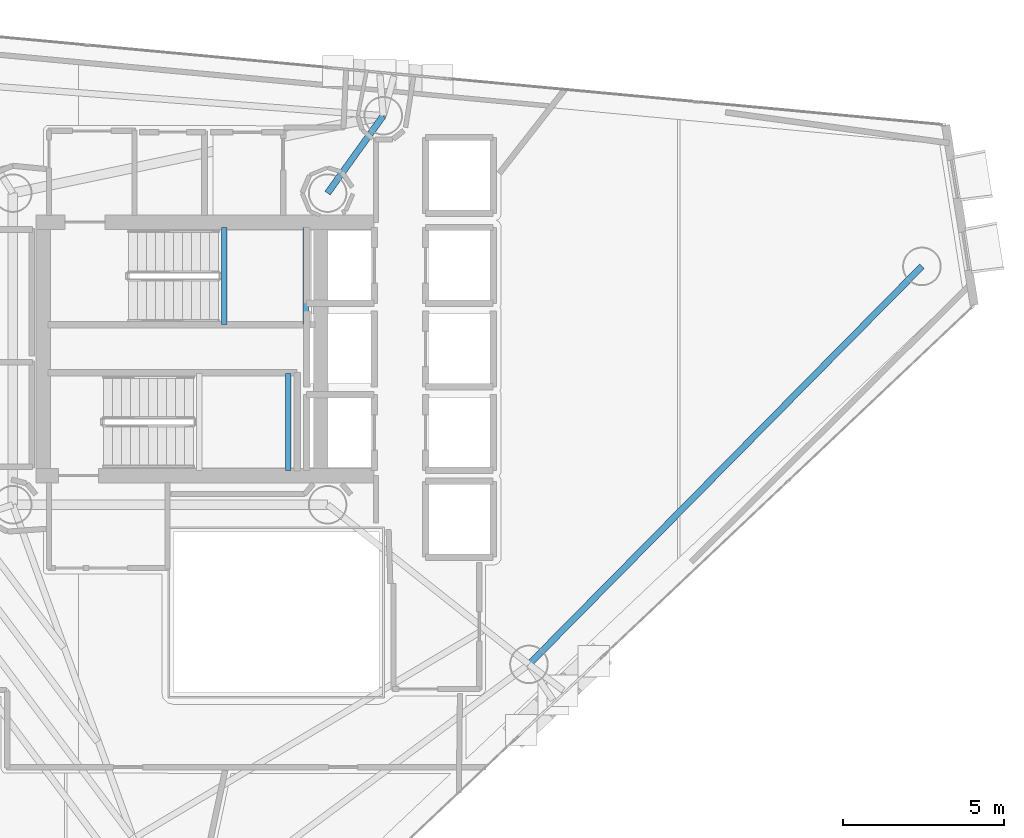
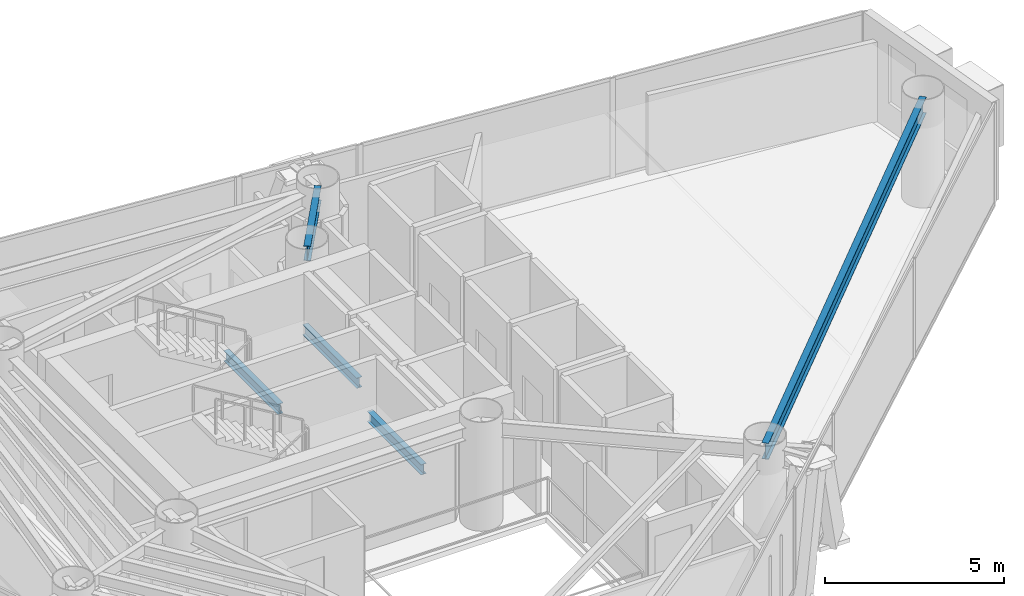
# One storey, part 12 of 20: 5 beams.
"""IFC4 building model written with IfcOpenShell, lengths in metres."""

from ifc_helpers import new_model, si_unit, direction, frame, origin, origin_2d, place, context, subcontext, project, spatial, i_section, extrude, material, material_profile, profile_set, type_object, element, save


model = new_model("IFC4")

# Units and contexts
model_context = context("Model", 3, precision=1e-05, world=origin(), true_north=direction((0.0, 1.0)))
body_context = subcontext(model_context, "Body", "Model", "MODEL_VIEW")
ifc_project = project(units=[si_unit("LENGTHUNIT", "METRE"), si_unit("AREAUNIT", "SQUARE_METRE"), si_unit("VOLUMEUNIT", "CUBIC_METRE"), si_unit("PLANEANGLEUNIT", "RADIAN"), si_unit("MASSUNIT", "GRAM", prefix="KILO")], contexts=[model_context])

# Site, building, storey
site_placement = place(None, origin())
site = spatial("IfcSite", under=ifc_project, at=site_placement, CompositionType="ELEMENT")
building_placement = place(site_placement, origin())
building = spatial("IfcBuilding", under=site, at=building_placement, Name="Qianvela Tower", CompositionType="ELEMENT")
storey_placement = place(building_placement, frame((0.0, 0.0, 226.199951171875)))
storey = spatial("IfcBuildingStorey", under=building, at=storey_placement, Name="L58", CompositionType="ELEMENT", Elevation=226.199951171875)

# Beams
ifc_material_1 = material(Name="Steel Q355B", Category="steel")
ifc_material_profile_1 = material_profile(ifc_material_1, i_section(OverallWidth=0.175048828125, OverallDepth=0.35009765625, WebThickness=0.007080078125, FlangeThickness=0.010986328125, at=origin_2d()), Name="HN350x175x7x11")
ifc_profile_set_1 = profile_set([ifc_material_profile_1], Name="Steel Q355B")
beam_type_1 = type_object("IfcBeamType", Name="BM-HN350-JOIST", PredefinedType="JOIST", material=ifc_profile_set_1)
for number, where, z_axis, x_axis, name in (
    (1, (35.179931640625, 29.4599609375, 1.47509765625), (0.0, 1.0, 0.0), (-1.0, 0.0, 0.0), "L58 Stair ST-1 Landing Support Beam 1.1"),
    (2, (37.719970703125, 29.4599609375, 1.47509765625), (0.0, 1.0, 0.0), (-1.0, 0.0, 0.0), "L58 Stair ST-1 Landing Support Beam 1.2"),
    (3, (37.169921875, 24.919921875, 1.47509765625), (0.0, 1.0, 0.0), (-1.0, 0.0, 0.0), "L58 Stair ST-2 Landing Support Beam 1.2"),
):
    element("IfcBeam", number, at=place(storey_placement, frame(where, z_axis=z_axis, x_axis=x_axis)), inside=storey, type_object=beam_type_1, Name=name, PredefinedType="JOIST", context=body_context, shape_type="SweptSolid", body=[
        extrude(i_section(OverallWidth=0.175048828125, OverallDepth=0.35009765625, WebThickness=0.007080078125, FlangeThickness=0.010986328125, at=origin_2d()), origin(), (0.0, 0.0, 1.0), 3.02001953125),
    ])
ifc_material_2 = material(Name="Steel Q355B", Category="steel")
ifc_material_profile_2 = material_profile(ifc_material_2, i_section(OverallWidth=0.199951171875, OverallDepth=0.5, WebThickness=0.010009765625, FlangeThickness=0.01611328125, at=origin_2d()), Name="HN500x200x10x16")
ifc_profile_set_2 = profile_set([ifc_material_profile_2], Name="Steel Q355B")
beam_type_2 = type_object("IfcBeamType", Name="BM-HN500-GIRD", PredefinedType="BEAM", material=ifc_profile_set_2)
beam_1_placement = place(storey_placement, frame((38.39990234375, 33.550048828125, 3.14794921875), z_axis=(0.583742907536, 0.811938555496, 0.0), x_axis=(-0.811938555496, 0.583742907536, 0.0)))
element("IfcBeam", 4, at=beam_1_placement, inside=storey, type_object=beam_type_2, Name="L58 Radial Primary Floor Girder 2", PredefinedType="BEAM", context=body_context, shape_type="SweptSolid", body=[
    extrude(i_section(OverallWidth=0.199951171875, OverallDepth=0.5, WebThickness=0.010009765625, FlangeThickness=0.01611328125, at=origin_2d()), origin(), (0.0, 0.0, 1.0), 2.965576171875),
])
ifc_material_3 = material(Name="Steel Q355B", Category="steel")
ifc_material_profile_3 = material_profile(ifc_material_3, i_section(OverallWidth=0.199951171875, OverallDepth=0.550048828125, WebThickness=0.010009765625, FlangeThickness=0.01611328125, at=origin_2d()), Name="HN550x200x10x16")
ifc_profile_set_3 = profile_set([ifc_material_profile_3], Name="Steel Q355B")
beam_type_3 = type_object("IfcBeamType", Name="BM-HN550-GIRD", PredefinedType="BEAM", material=ifc_profile_set_3)
beam_2_placement = place(storey_placement, frame((44.6669921875, 18.883056640625, 3.123046875), z_axis=(0.702583270685, 0.711601537205, 0.0), x_axis=(-0.711601537205, 0.702583270685, 0.0)))
element("IfcBeam", 5, at=beam_2_placement, inside=storey, type_object=beam_type_3, Name="L58 Perimeter Ring Spandrel Girder 6", PredefinedType="BEAM", context=body_context, shape_type="SweptSolid", body=[
    extrude(i_section(OverallWidth=0.199951171875, OverallDepth=0.550048828125, WebThickness=0.010009765625, FlangeThickness=0.01611328125, at=origin_2d()), origin(), (0.0, 0.0, 1.0), 17.4072265625),
])

save(model, "model.ifc")
